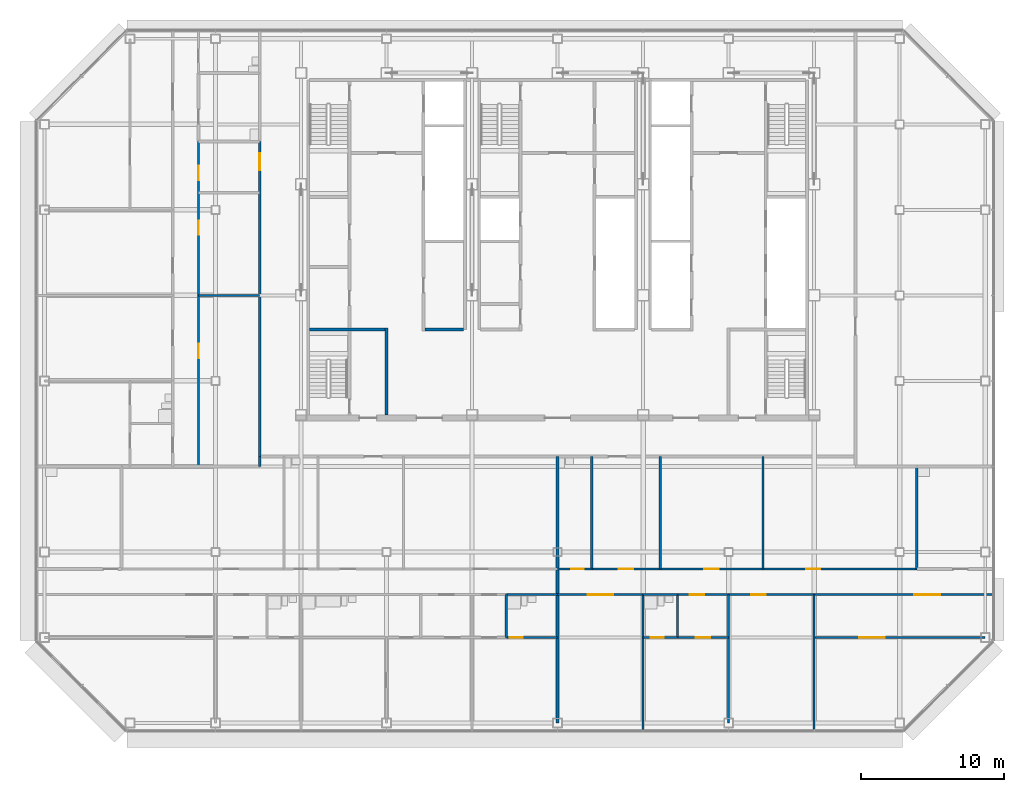
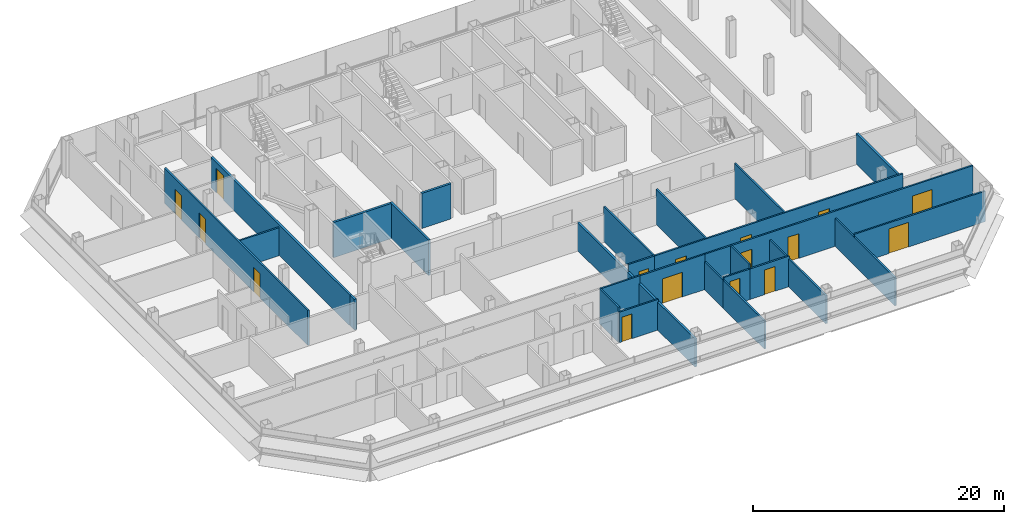
# One storey, part 21 of 27: 28 walls, 16 doors, 16 openings.
"""IFC4 building model written with IfcOpenShell, lengths in metres."""

import ifcopenshell
import ifcopenshell.guid

model = None  # the IFC model being written
_history = None  # IfcOwnerHistory: only IFC2X3 demands one
_inside = {}  # id of a spatial element -> (the spatial element, [elements in it])
_under = {}  # id of a project, library or spatial element -> (it, [spatial elements below it])
_declared = {}  # id of a project -> (the project, [libraries it declares])
_typed = {}  # id of a type object -> (the type object, [elements of that type])
_made_of = {}  # id of a material, layer set ... -> (it, [elements and type objects made of it])


def new_model(schema):
    """Start an empty IFC model of exactly this schema.

    Asked for "IFC4X3", IfcOpenShell would pick the latest addendum, in which some entities
    have other attributes; the version numbers below select the first issue.
    IFC2X3 requires an IfcOwnerHistory on every rooted entity: one is made here for all.
    """
    global model, _history
    if schema == "IFC4X3":
        model = ifcopenshell.file(schema_version=(4, 3, 0, 0))
    else:
        model = ifcopenshell.file(schema=schema)
    _inside.clear()
    _under.clear()
    _declared.clear()
    _typed.clear()
    _made_of.clear()
    _history = None
    if model.schema == "IFC2X3":
        org = make("IfcOrganization", Name="unknown")
        user = make(
            "IfcPersonAndOrganization",
            ThePerson=make("IfcPerson", FamilyName="unknown"),
            TheOrganization=org,
        )
        app = make(
            "IfcApplication",
            ApplicationDeveloper=org,
            Version="unknown",
            ApplicationFullName="unknown",
            ApplicationIdentifier="unknown",
        )
        _history = make(
            "IfcOwnerHistory",
            OwningUser=user,
            OwningApplication=app,
            ChangeAction="ADDED",
            CreationDate=0,
        )
    return model


def make(cls, **values):
    """One entity of the class cls with the attributes given. An attribute that is None is left unset."""
    return model.create_entity(
        cls, **{name: value for name, value in values.items() if value is not None}
    )


def rooted(cls, **values):
    """An entity with a GlobalId (a new one), such as an element, a storey or a relation."""
    return make(cls, GlobalId=ifcopenshell.guid.new(), OwnerHistory=_history, **values)


def si_unit(unit_type, name, prefix=None):
    """IfcSIUnit, for example si_unit("LENGTHUNIT", "METRE", prefix="MILLI")."""
    return make("IfcSIUnit", UnitType=unit_type, Prefix=prefix, Name=name)


def assignment(units):
    """IfcUnitAssignment: the units of a project."""
    return None if units is None else make("IfcUnitAssignment", Units=units)


def point(xyz):
    """IfcCartesianPoint."""
    return None if xyz is None else make("IfcCartesianPoint", Coordinates=xyz)


def direction(xyz):
    """IfcDirection."""
    return None if xyz is None else make("IfcDirection", DirectionRatios=xyz)


def frame(location, z_axis=None, x_axis=None):
    """IfcAxis2Placement3D, a coordinate frame: its origin and axes. An axis left out is left unset."""
    return make(
        "IfcAxis2Placement3D",
        Location=point(location),
        Axis=direction(z_axis),
        RefDirection=direction(x_axis),
    )


def frame_2d(location, x_axis=None):
    """IfcAxis2Placement2D, a coordinate frame in the plane: its origin and x axis."""
    return make(
        "IfcAxis2Placement2D", Location=point(location), RefDirection=direction(x_axis)
    )


def origin():
    """The frame at (0, 0, 0) with its axes left unset."""
    return frame((0.0, 0.0, 0.0))


def place(relative_to, where):
    """IfcLocalPlacement: puts the frame where relative to a parent placement (None: the world)."""
    return make(
        "IfcLocalPlacement", PlacementRelTo=relative_to, RelativePlacement=where
    )


def context(
    kind, dimensions, precision=None, world=None, true_north=None, identifier=None
):
    """IfcGeometricRepresentationContext, for example the 3D "Model" context."""
    return make(
        "IfcGeometricRepresentationContext",
        ContextIdentifier=identifier,
        ContextType=kind,
        CoordinateSpaceDimension=dimensions,
        Precision=precision,
        WorldCoordinateSystem=world,
        TrueNorth=true_north,
    )


def subcontext(parent, identifier, kind, view, scale=None):
    """IfcGeometricRepresentationSubContext, for example "Body" below "Model"."""
    return make(
        "IfcGeometricRepresentationSubContext",
        ContextIdentifier=identifier,
        ContextType=kind,
        ParentContext=parent,
        TargetScale=scale,
        TargetView=view,
    )


def project(units=None, contexts=None):
    """IfcProject with its units and contexts."""
    return rooted(
        "IfcProject",
        Name="project",
        RepresentationContexts=contexts,
        UnitsInContext=assignment(units),
    )


def spatial(cls, under=None, at=None, **own):
    """A site, building, storey or space (cls), placed at a placement, below another one or the project."""
    s = rooted(cls, ObjectPlacement=at, **own)
    if under is not None:
        _under.setdefault(under.id(), (under, []))[1].append(s)
    return s


def profile(cls, at=None, kind="AREA", **sizes):
    """A parametric profile (cls). Its sizes go by their IFC names, for example OverallWidth=200.0."""
    return make(cls, ProfileType=kind, Position=at, **sizes)


def rectangle(**sizes):
    """IfcRectangleProfileDef."""
    return profile("IfcRectangleProfileDef", **sizes)


def extrude(swept, where, along, depth):
    """IfcExtrudedAreaSolid: the profile swept, set in the frame where, extruded along a direction by depth."""
    return make(
        "IfcExtrudedAreaSolid",
        SweptArea=swept,
        Position=where,
        ExtrudedDirection=direction(along),
        Depth=depth,
    )


def shape(context_of_items, identifier, shape_type, items):
    """IfcShapeRepresentation: the items that make up one representation, for example the "Body"."""
    return make(
        "IfcShapeRepresentation",
        ContextOfItems=context_of_items,
        RepresentationIdentifier=identifier,
        RepresentationType=shape_type,
        Items=items,
    )


def material(Name=None, Category=None):
    """IfcMaterial."""
    return make("IfcMaterial", Name=Name, Category=Category)


def layer(
    of_material, thickness, ventilated=None, Name=None, Category=None, Priority=None
):
    """IfcMaterialLayer: one layer of a wall or slab, of a material (None: an air gap)."""
    return make(
        "IfcMaterialLayer",
        Material=of_material,
        LayerThickness=thickness,
        IsVentilated=ventilated,
        Name=Name,
        Category=Category,
        Priority=Priority,
    )


def layer_set(layers, Name=None):
    """IfcMaterialLayerSet."""
    return make("IfcMaterialLayerSet", MaterialLayers=layers, LayerSetName=Name)


def made_of(thing, what):
    """Note that an element or type object is made of a material, layer set ...; save() writes the relation."""
    if what is not None:
        _made_of.setdefault(what.id(), (what, []))[1].append(thing)
    return thing


def type_object(cls, material=None, **own):
    """A type object (cls), such as IfcWallType, which elements share."""
    return made_of(rooted(cls, **own), material)


def element(
    cls,
    number,
    at=None,
    inside=None,
    cuts=None,
    type_object=None,
    material=None,
    context=None,
    identifier="Body",
    shape_type=None,
    held_by="IfcProductDefinitionShape",
    body=None,
    shapes=None,
    **own,
):
    """One element of the class cls, such as IfcWall. Its Tag is "e" and its number.

    at: its placement. inside: the storey or other place that contains it. cuts: it is an
    opening in that element (IfcRelVoidsElement). A single representation is given by context,
    identifier, shape_type and body (its items); several are given by shapes. held_by: the class
    of the entity that holds the representations. save() writes the other relations.
    """
    e = rooted(cls, Tag="e%d" % number, ObjectPlacement=at, **own)
    if body is not None:
        shapes = [shape(context, identifier, shape_type, body)]
    if shapes is not None:
        e.Representation = make(held_by, Representations=shapes)
    if inside is not None:
        _inside.setdefault(inside.id(), (inside, []))[1].append(e)
    if cuts is not None:
        rooted(
            "IfcRelVoidsElement", RelatingBuildingElement=cuts, RelatedOpeningElement=e
        )
    if type_object is not None:
        _typed.setdefault(type_object.id(), (type_object, []))[1].append(e)
    return made_of(e, material)


def fill(opening, filler):
    """IfcRelFillsElement: the door or window that sits in an opening."""
    return rooted(
        "IfcRelFillsElement",
        RelatingOpeningElement=opening,
        RelatedBuildingElement=filler,
    )


def aggregate(whole, parts):
    """IfcRelAggregates: a whole, such as a stair, and the parts it consists of."""
    return rooted("IfcRelAggregates", RelatingObject=whole, RelatedObjects=parts)


def save(model, path):
    """Write the relations noted so far, then the file.

    IfcRelAggregates (storeys below a building ...), IfcRelContainedInSpatialStructure (elements
    in a storey), IfcRelDefinesByType, IfcRelAssociatesMaterial and IfcRelDeclares: one each for
    every whole, place, type object, material and project.
    """
    for whole, parts in _under.values():
        aggregate(whole, parts)
    for where, things in _inside.values():
        rooted(
            "IfcRelContainedInSpatialStructure",
            RelatedElements=things,
            RelatingStructure=where,
        )
    for kind, things in _typed.values():
        rooted("IfcRelDefinesByType", RelatedObjects=things, RelatingType=kind)
    for what, things in _made_of.values():
        rooted("IfcRelAssociatesMaterial", RelatedObjects=things, RelatingMaterial=what)
    for by, libraries in _declared.values():
        rooted("IfcRelDeclares", RelatingContext=by, RelatedDefinitions=libraries)
    model.write(path)


model = new_model("IFC4")

# Units and contexts
model_context = context("Model", 3, precision=1e-05, world=origin(), true_north=direction((0.0, 1.0)))
body_context = subcontext(model_context, "Body", "Model", "MODEL_VIEW")
ifc_project = project(units=[si_unit("LENGTHUNIT", "METRE"), si_unit("AREAUNIT", "SQUARE_METRE"), si_unit("VOLUMEUNIT", "CUBIC_METRE"), si_unit("PLANEANGLEUNIT", "RADIAN"), si_unit("MASSUNIT", "GRAM", prefix="KILO")], contexts=[model_context])

# Site, building, storey
site_placement = place(None, origin())
site = spatial("IfcSite", under=ifc_project, at=site_placement, CompositionType="ELEMENT")
building_placement = place(site_placement, origin())
building = spatial("IfcBuilding", under=site, at=building_placement, Name="Sorahane Residences", CompositionType="ELEMENT")
storey_placement = place(building_placement, frame((0.0, 0.0, 226.199951171875)))
storey = spatial("IfcBuildingStorey", under=building, at=storey_placement, Name="L53", CompositionType="ELEMENT", Elevation=226.199951171875)

# Wall, opening, door
ifc_material_1 = material(Name="Concrete blockwork C20 wall", Category="masonry")
ifc_layer_1 = layer(ifc_material_1, 0.199951171875)
ifc_layer_set_1 = layer_set([ifc_layer_1], Name="Corridor wall 200 EI 120")
wall_type_1 = type_object("IfcWallType", Name="Corridor wall 200 EI 120", PredefinedType="SOLIDWALL", material=ifc_layer_set_1)
wall_1_placement = place(storey_placement, frame((3.10009765625, 18.699951171875, 0.0), z_axis=(0.0, 0.0, 1.0), x_axis=(0.0, 1.0, 0.0)))
wall_1 = element("IfcWall", 1, at=wall_1_placement, inside=storey, type_object=wall_type_1, Name="L53 corridor wall", PredefinedType="SOLIDWALL", context=body_context, shape_type="SweptSolid", body=[
    extrude(rectangle(XDim=22.10009765625, YDim=0.199951171875, at=frame_2d((11.050048828125, 0.0))), origin(), (0.0, 0.0, 1.0), 2.969970703125),
])
opening_1_placement = place(wall_1_placement, frame((20.080078125, 0.0, 0.0)))
opening_1 = element("IfcOpeningElement", 2, at=opening_1_placement, cuts=wall_1, Name="Opening L53-44", PredefinedType="OPENING", context=body_context, shape_type="SweptSolid", body=[
    extrude(rectangle(XDim=1.199951171875, YDim=2.39990234375, at=frame_2d((0.60009765625, 1.199951171875))), frame((0.0, 0.10986328125, 0.0), z_axis=(0.0, -1.0, 0.0), x_axis=(1.0, 0.0, 0.0)), (0.0, 0.0, 1.0), 0.219970703125),
])
ifc_material_2 = material(Name="Timber veneered fire door", Category="wood")
door_type_1 = type_object("IfcDoorType", Name="Flat entrance door 1200x2400 FD60", OperationType="NOTDEFINED", PredefinedType="DOOR", material=ifc_material_2)
door_1_placement = place(opening_1_placement, origin())
door_1 = element("IfcDoor", 3, at=door_1_placement, inside=storey, type_object=door_type_1, Name="Flat entrance door L53-44", OperationType="SINGLE_SWING_LEFT", OverallHeight=2.39990234375, OverallWidth=1.199951171875, PredefinedType="DOOR", context=body_context, shape_type="SweptSolid", body=[
    extrude(rectangle(XDim=1.199951171875, YDim=2.39990234375, at=frame_2d((0.60009765625, 1.199951171875))), frame((0.0, 0.02490234375, 0.0), z_axis=(0.0, -1.0, 0.0), x_axis=(1.0, 0.0, 0.0)), (0.0, 0.0, 1.0), 0.050048828125),
])
fill(opening_1, door_1)

# Walls
ifc_material_3 = material(Name="Concrete C30", Category="concrete")
ifc_layer_2 = layer(ifc_material_3, 0.199951171875)
ifc_layer_set_2 = layer_set([ifc_layer_2], Name="Front room wall 200 EI 120")
wall_type_2 = type_object("IfcWallType", Name="Front room wall 200 EI 120", PredefinedType="PARTITIONING", material=ifc_layer_set_2)
wall_2_placement = place(storey_placement, frame((12.0, 21.60009765625, 0.0), z_axis=(0.0, 0.0, 1.0), x_axis=(0.0, 1.0, 0.0)))
element("IfcWall", 4, at=wall_2_placement, inside=storey, type_object=wall_type_2, Name="L53 front room wall", PredefinedType="PARTITIONING", context=body_context, shape_type="SweptSolid", body=[
    extrude(rectangle(XDim=6.099853515625, YDim=0.199951171875, at=frame_2d((3.0498046875, 0.0))), origin(), (0.0, 0.0, 1.0), 3.420166015625),
])
ifc_material_4 = material(Name="Concrete blockwork C20 wall", Category="masonry")
ifc_layer_3 = layer(ifc_material_4, 0.199951171875)
ifc_layer_set_3 = layer_set([ifc_layer_3], Name="Kitchen wall 200 EI 180")
wall_type_3 = type_object("IfcWallType", Name="Kitchen wall 200 EI 180", PredefinedType="SOLIDWALL", material=ifc_layer_set_3)
wall_3_placement = place(storey_placement, frame((49.199951171875, 10.800048828125, 0.0), z_axis=(0.0, 0.0, 1.0), x_axis=(0.0, 1.0, 0.0)))
element("IfcWall", 5, at=wall_3_placement, inside=storey, type_object=wall_type_3, Name="L53 kitchen wall", PredefinedType="SOLIDWALL", context=body_context, shape_type="SweptSolid", body=[
    extrude(rectangle(XDim=7.199951171875, YDim=0.199951171875, at=frame_2d((3.60009765625, 0.0))), origin(), (0.0, 0.0, 1.0), 2.969970703125),
])

# Wall, openings, doors
ifc_material_5 = material(Name="Gypsum board partition on steel studs", Category="steel")
ifc_layer_4 = layer(ifc_material_5, 0.14990234375)
ifc_layer_set_4 = layer_set([ifc_layer_4], Name="Partition 150 EI 90")
wall_type_4 = type_object("IfcWallType", Name="Partition 150 EI 90", PredefinedType="PARTITIONING", material=ifc_layer_set_4)
wall_4_placement = place(storey_placement, frame((-1.199951171875, 18.0, 0.0), z_axis=(0.0, 0.0, 1.0), x_axis=(0.0, 1.0, 0.0)))
wall_4 = element("IfcWall", 6, at=wall_4_placement, inside=storey, type_object=wall_type_4, Name="L53 partition", PredefinedType="PARTITIONING", context=body_context, shape_type="SweptSolid", body=[
    extrude(rectangle(XDim=22.800048828125, YDim=0.14990234375, at=frame_2d((11.39990234375, 0.0))), origin(), (0.0, 0.0, 1.0), 3.420166015625),
])
opening_2_placement = place(wall_4_placement, frame((20.080078125, 0.0, 0.0)))
opening_2 = element("IfcOpeningElement", 7, at=opening_2_placement, cuts=wall_4, Name="Opening L53-30", PredefinedType="OPENING", context=body_context, shape_type="SweptSolid", body=[
    extrude(rectangle(XDim=1.0, YDim=2.39990234375, at=frame_2d((0.5, 1.199951171875))), frame((0.0, 0.0849609375, 0.0), z_axis=(0.0, -1.0, 0.0), x_axis=(1.0, 0.0, 0.0)), (0.0, 0.0, 1.0), 0.169921875),
])
opening_3_placement = place(wall_4_placement, frame((7.60009765625, 0.0, 0.0)))
opening_3 = element("IfcOpeningElement", 8, at=opening_3_placement, cuts=wall_4, Name="Opening L53-31", PredefinedType="OPENING", context=body_context, shape_type="SweptSolid", body=[
    extrude(rectangle(XDim=1.0, YDim=2.39990234375, at=frame_2d((0.5, 1.199951171875))), frame((0.0, 0.0849609375, 0.0), z_axis=(0.0, -1.0, 0.0), x_axis=(1.0, 0.0, 0.0)), (0.0, 0.0, 1.0), 0.169921875),
])
opening_4_placement = place(wall_4_placement, frame((16.239990234375, 0.0, 0.0)))
opening_4 = element("IfcOpeningElement", 9, at=opening_4_placement, cuts=wall_4, Name="Opening L53-32", PredefinedType="OPENING", context=body_context, shape_type="SweptSolid", body=[
    extrude(rectangle(XDim=1.0, YDim=2.39990234375, at=frame_2d((0.5, 1.199951171875))), frame((0.0, 0.0849609375, 0.0), z_axis=(0.0, -1.0, 0.0), x_axis=(1.0, 0.0, 0.0)), (0.0, 0.0, 1.0), 0.169921875),
])
ifc_material_6 = material(Name="Timber veneered fire door", Category="wood")
door_type_2 = type_object("IfcDoorType", Name="Room door 1000x2400 FD30", OperationType="NOTDEFINED", PredefinedType="DOOR", material=ifc_material_6)
door_2_placement = place(opening_2_placement, origin())
door_2 = element("IfcDoor", 10, at=door_2_placement, inside=storey, type_object=door_type_2, Name="Room door L53-30", OperationType="SINGLE_SWING_RIGHT", OverallHeight=2.39990234375, OverallWidth=1.0, PredefinedType="DOOR", context=body_context, shape_type="SweptSolid", body=[
    extrude(rectangle(XDim=1.0, YDim=2.39990234375, at=frame_2d((0.5, 1.199951171875))), frame((0.0, 0.02490234375, 0.0), z_axis=(0.0, -1.0, 0.0), x_axis=(1.0, 0.0, 0.0)), (0.0, 0.0, 1.0), 0.050048828125),
])
fill(opening_2, door_2)
door_3_placement = place(opening_3_placement, frame((1.0, 0.0, 0.0), z_axis=(0.0, 0.0, 1.0), x_axis=(-1.0, 0.0, 0.0)))
door_3 = element("IfcDoor", 11, at=door_3_placement, inside=storey, type_object=door_type_2, Name="Room door L53-31", OperationType="SINGLE_SWING_RIGHT", OverallHeight=2.39990234375, OverallWidth=1.0, PredefinedType="DOOR", context=body_context, shape_type="SweptSolid", body=[
    extrude(rectangle(XDim=1.0, YDim=2.39990234375, at=frame_2d((0.5, 1.199951171875))), frame((0.0, 0.02490234375, 0.0), z_axis=(0.0, -1.0, 0.0), x_axis=(1.0, 0.0, 0.0)), (0.0, 0.0, 1.0), 0.050048828125),
])
fill(opening_3, door_3)
door_4_placement = place(opening_4_placement, frame((1.0, 0.0, 0.0), z_axis=(0.0, 0.0, 1.0), x_axis=(-1.0, 0.0, 0.0)))
door_4 = element("IfcDoor", 12, at=door_4_placement, inside=storey, type_object=door_type_2, Name="Room door L53-32", OperationType="SINGLE_SWING_LEFT", OverallHeight=2.39990234375, OverallWidth=1.0, PredefinedType="DOOR", context=body_context, shape_type="SweptSolid", body=[
    extrude(rectangle(XDim=1.0, YDim=2.39990234375, at=frame_2d((0.5, 1.199951171875))), frame((0.0, 0.02490234375, 0.0), z_axis=(0.0, -1.0, 0.0), x_axis=(1.0, 0.0, 0.0)), (0.0, 0.0, 1.0), 0.050048828125),
])
fill(opening_4, door_4)

# Walls
wall_5_placement = place(storey_placement, frame((30.0, -0.60009765625, 0.0), z_axis=(0.0, 0.0, 1.0), x_axis=(0.0, 1.0, 0.0)))
element("IfcWall", 13, at=wall_5_placement, inside=storey, type_object=wall_type_4, Name="L53 partition", PredefinedType="PARTITIONING", context=body_context, shape_type="SweptSolid", body=[
    extrude(rectangle(XDim=6.60009765625, YDim=0.14990234375, at=frame_2d((3.300048828125, 0.0))), origin(), (0.0, 0.0, 1.0), 2.719970703125),
])
wall_6_placement = place(storey_placement, frame((31.199951171875, 10.800048828125, 0.0), z_axis=(0.0, 0.0, 1.0), x_axis=(0.0, 1.0, 0.0)))
element("IfcWall", 14, at=wall_6_placement, inside=storey, type_object=wall_type_4, Name="L53 partition", PredefinedType="PARTITIONING", context=body_context, shape_type="SweptSolid", body=[
    extrude(rectangle(XDim=7.89990234375, YDim=0.14990234375, at=frame_2d((3.949951171875, 0.0))), origin(), (0.0, 0.0, 1.0), 3.420166015625),
])
wall_7_placement = place(storey_placement, frame((36.0, 0.0, 0.0), z_axis=(0.0, 0.0, 1.0), x_axis=(0.0, 1.0, 0.0)))
element("IfcWall", 15, at=wall_7_placement, inside=storey, type_object=wall_type_4, Name="L53 partition", PredefinedType="PARTITIONING", context=body_context, shape_type="SweptSolid", body=[
    extrude(rectangle(XDim=9.0, YDim=0.14990234375, at=frame_2d((4.5, 0.0))), origin(), (0.0, 0.0, 1.0), 2.719970703125),
])
wall_8_placement = place(storey_placement, frame((38.39990234375, 10.800048828125, 0.0), z_axis=(0.0, 0.0, 1.0), x_axis=(0.0, 1.0, 0.0)))
element("IfcWall", 16, at=wall_8_placement, inside=storey, type_object=wall_type_4, Name="L53 partition", PredefinedType="PARTITIONING", context=body_context, shape_type="SweptSolid", body=[
    extrude(rectangle(XDim=7.89990234375, YDim=0.14990234375, at=frame_2d((3.949951171875, 0.0))), origin(), (0.0, 0.0, 1.0), 3.420166015625),
])
wall_9_placement = place(storey_placement, frame((42.0, -0.60009765625, 0.0), z_axis=(0.0, 0.0, 1.0), x_axis=(0.0, 1.0, 0.0)))
element("IfcWall", 17, at=wall_9_placement, inside=storey, type_object=wall_type_4, Name="L53 partition", PredefinedType="PARTITIONING", context=body_context, shape_type="SweptSolid", body=[
    extrude(rectangle(XDim=9.60009765625, YDim=0.14990234375, at=frame_2d((4.800048828125, 0.0))), origin(), (0.0, 0.0, 1.0), 2.719970703125),
])

# Wall, openings, doors
wall_10_placement = place(storey_placement, frame((26.39990234375, 10.800048828125, 0.0), z_axis=(0.0, 0.0, 1.0), x_axis=(1.0, 0.0, 0.0)))
wall_10 = element("IfcWall", 18, at=wall_10_placement, inside=storey, type_object=wall_type_4, Name="L53 partition", PredefinedType="PARTITIONING", context=body_context, shape_type="SweptSolid", body=[
    extrude(rectangle(XDim=22.800048828125, YDim=0.14990234375, at=frame_2d((11.39990234375, 0.0))), origin(), (0.0, 0.0, 1.0), 3.420166015625),
])
opening_5_placement = place(wall_10_placement, frame((1.89990234375, 0.0, 0.0)))
opening_5 = element("IfcOpeningElement", 19, at=opening_5_placement, cuts=wall_10, Name="Opening L53-18", PredefinedType="OPENING", context=body_context, shape_type="SweptSolid", body=[
    extrude(rectangle(XDim=1.0, YDim=2.39990234375, at=frame_2d((0.5, 1.199951171875))), frame((0.0, 0.0849609375, 0.0), z_axis=(0.0, -1.0, 0.0), x_axis=(1.0, 0.0, 0.0)), (0.0, 0.0, 1.0), 0.169921875),
])
opening_6_placement = place(wall_10_placement, frame((7.89990234375, 0.0, 0.0)))
opening_6 = element("IfcOpeningElement", 20, at=opening_6_placement, cuts=wall_10, Name="Opening L53-20", PredefinedType="OPENING", context=body_context, shape_type="SweptSolid", body=[
    extrude(rectangle(XDim=1.0, YDim=2.39990234375, at=frame_2d((0.5, 1.199951171875))), frame((0.0, 0.0849609375, 0.0), z_axis=(0.0, -1.0, 0.0), x_axis=(1.0, 0.0, 0.0)), (0.0, 0.0, 1.0), 0.169921875),
])
opening_7_placement = place(wall_10_placement, frame((15.0400390625, 0.0, 0.0)))
opening_7 = element("IfcOpeningElement", 21, at=opening_7_placement, cuts=wall_10, Name="Opening L53-21", PredefinedType="OPENING", context=body_context, shape_type="SweptSolid", body=[
    extrude(rectangle(XDim=1.0, YDim=2.39990234375, at=frame_2d((0.5, 1.199951171875))), frame((0.0, 0.0849609375, 0.0), z_axis=(0.0, -1.0, 0.0), x_axis=(1.0, 0.0, 0.0)), (0.0, 0.0, 1.0), 0.169921875),
])
door_5_placement = place(opening_5_placement, frame((1.0, 0.0, 0.0), z_axis=(0.0, 0.0, 1.0), x_axis=(-1.0, 0.0, 0.0)))
door_5 = element("IfcDoor", 22, at=door_5_placement, inside=storey, type_object=door_type_2, Name="Room door L53-18", OperationType="SINGLE_SWING_LEFT", OverallHeight=2.39990234375, OverallWidth=1.0, PredefinedType="DOOR", context=body_context, shape_type="SweptSolid", body=[
    extrude(rectangle(XDim=1.0, YDim=2.39990234375, at=frame_2d((0.5, 1.199951171875))), frame((0.0, 0.02490234375, 0.0), z_axis=(0.0, -1.0, 0.0), x_axis=(1.0, 0.0, 0.0)), (0.0, 0.0, 1.0), 0.050048828125),
])
fill(opening_5, door_5)
door_6_placement = place(opening_6_placement, origin())
door_6 = element("IfcDoor", 23, at=door_6_placement, inside=storey, type_object=door_type_2, Name="Room door L53-20", OperationType="SINGLE_SWING_RIGHT", OverallHeight=2.39990234375, OverallWidth=1.0, PredefinedType="DOOR", context=body_context, shape_type="SweptSolid", body=[
    extrude(rectangle(XDim=1.0, YDim=2.39990234375, at=frame_2d((0.5, 1.199951171875))), frame((0.0, 0.02490234375, 0.0), z_axis=(0.0, -1.0, 0.0), x_axis=(1.0, 0.0, 0.0)), (0.0, 0.0, 1.0), 0.050048828125),
])
fill(opening_6, door_6)
door_7_placement = place(opening_7_placement, origin())
door_7 = element("IfcDoor", 24, at=door_7_placement, inside=storey, type_object=door_type_2, Name="Room door L53-21", OperationType="SINGLE_SWING_RIGHT", OverallHeight=2.39990234375, OverallWidth=1.0, PredefinedType="DOOR", context=body_context, shape_type="SweptSolid", body=[
    extrude(rectangle(XDim=1.0, YDim=2.39990234375, at=frame_2d((0.5, 1.199951171875))), frame((0.0, 0.02490234375, 0.0), z_axis=(0.0, -1.0, 0.0), x_axis=(1.0, 0.0, 0.0)), (0.0, 0.0, 1.0), 0.050048828125),
])
fill(opening_7, door_7)

# Wall
wall_11_placement = place(storey_placement, frame((-1.199951171875, 30.0, 0.0), z_axis=(0.0, 0.0, 1.0), x_axis=(1.0, 0.0, 0.0)))
element("IfcWall", 25, at=wall_11_placement, inside=storey, type_object=wall_type_4, Name="L53 partition", PredefinedType="PARTITIONING", context=body_context, shape_type="SweptSolid", body=[
    extrude(rectangle(XDim=4.300048828125, YDim=0.14990234375, at=frame_2d((2.14990234375, 0.0))), origin(), (0.0, 0.0, 1.0), 2.719970703125),
])

# Wall, opening, door
wall_12_placement = place(storey_placement, frame((32.39990234375, 6.0, 0.0), z_axis=(0.0, 0.0, 1.0), x_axis=(1.0, 0.0, 0.0)))
wall_12 = element("IfcWall", 26, at=wall_12_placement, inside=storey, type_object=wall_type_4, Name="L53 partition", PredefinedType="PARTITIONING", context=body_context, shape_type="SweptSolid", body=[
    extrude(rectangle(XDim=3.60009765625, YDim=0.14990234375, at=frame_2d((1.800048828125, 0.0))), origin(), (0.0, 0.0, 1.0), 2.969970703125),
])
opening_8_placement = place(wall_12_placement, frame((1.300048828125, 0.0, 0.0)))
opening_8 = element("IfcOpeningElement", 27, at=opening_8_placement, cuts=wall_12, Name="Opening L53-27", PredefinedType="OPENING", context=body_context, shape_type="SweptSolid", body=[
    extrude(rectangle(XDim=1.0, YDim=2.39990234375, at=frame_2d((0.5, 1.199951171875))), frame((0.0, 0.0849609375, 0.0), z_axis=(0.0, -1.0, 0.0), x_axis=(1.0, 0.0, 0.0)), (0.0, 0.0, 1.0), 0.169921875),
])
door_8_placement = place(opening_8_placement, frame((1.0, 0.0, 0.0), z_axis=(0.0, 0.0, 1.0), x_axis=(-1.0, 0.0, 0.0)))
door_8 = element("IfcDoor", 28, at=door_8_placement, inside=storey, type_object=door_type_2, Name="Room door L53-27", OperationType="SINGLE_SWING_LEFT", OverallHeight=2.39990234375, OverallWidth=1.0, PredefinedType="DOOR", context=body_context, shape_type="SweptSolid", body=[
    extrude(rectangle(XDim=1.0, YDim=2.39990234375, at=frame_2d((0.5, 1.199951171875))), frame((0.0, 0.02490234375, 0.0), z_axis=(0.0, -1.0, 0.0), x_axis=(1.0, 0.0, 0.0)), (0.0, 0.0, 1.0), 0.050048828125),
])
fill(opening_8, door_8)

wall_13_placement = place(storey_placement, frame((42.0, 6.0, 0.0), z_axis=(0.0, 0.0, 1.0), x_axis=(1.0, 0.0, 0.0)))
wall_13 = element("IfcWall", 29, at=wall_13_placement, inside=storey, type_object=wall_type_4, Name="L53 partition", PredefinedType="PARTITIONING", context=body_context, shape_type="SweptSolid", body=[
    extrude(rectangle(XDim=12.0, YDim=0.14990234375, at=frame_2d((6.0, 0.0))), origin(), (0.0, 0.0, 1.0), 2.969970703125),
])
opening_9_placement = place(wall_13_placement, frame((3.159912109375, 0.0, 0.0)))
opening_9 = element("IfcOpeningElement", 30, at=opening_9_placement, cuts=wall_13, Name="Opening L53-29", PredefinedType="OPENING", context=body_context, shape_type="SweptSolid", body=[
    extrude(rectangle(XDim=1.800048828125, YDim=2.39990234375, at=frame_2d((0.89990234375, 1.199951171875))), frame((0.0, 0.0849609375, 0.0), z_axis=(0.0, -1.0, 0.0), x_axis=(1.0, 0.0, 0.0)), (0.0, 0.0, 1.0), 0.169921875),
])
ifc_material_7 = material(Name="Timber veneered fire door", Category="wood")
door_type_3 = type_object("IfcDoorType", Name="Double door 1800x2400 FD30", OperationType="NOTDEFINED", PredefinedType="DOOR", material=ifc_material_7)
door_9_placement = place(opening_9_placement, frame((1.800048828125, 0.0, 0.0), z_axis=(0.0, 0.0, 1.0), x_axis=(-1.0, 0.0, 0.0)))
door_9 = element("IfcDoor", 31, at=door_9_placement, inside=storey, type_object=door_type_3, Name="Double door L53-29", OperationType="SINGLE_SWING_RIGHT", OverallHeight=2.39990234375, OverallWidth=1.800048828125, PredefinedType="DOOR", context=body_context, shape_type="SweptSolid", body=[
    extrude(rectangle(XDim=1.800048828125, YDim=2.39990234375, at=frame_2d((0.89990234375, 1.199951171875))), frame((0.0, 0.02490234375, 0.0), z_axis=(0.0, -1.0, 0.0), x_axis=(1.0, 0.0, 0.0)), (0.0, 0.0, 1.0), 0.050048828125),
])
fill(opening_9, door_9)

wall_14_placement = place(storey_placement, frame((24.0, 9.0, 0.0), z_axis=(0.0, 0.0, 1.0), x_axis=(1.0, 0.0, 0.0)))
wall_14 = element("IfcWall", 32, at=wall_14_placement, inside=storey, type_object=wall_type_4, Name="L53 partition", PredefinedType="PARTITIONING", context=body_context, shape_type="SweptSolid", body=[
    extrude(rectangle(XDim=6.0, YDim=0.14990234375, at=frame_2d((3.0, 0.0))), origin(), (0.0, 0.0, 1.0), 3.420166015625),
])
opening_10_placement = place(wall_14_placement, frame((2.10009765625, 0.0, 0.0)))
opening_10 = element("IfcOpeningElement", 33, at=opening_10_placement, cuts=wall_14, Name="Opening L53-23", PredefinedType="OPENING", context=body_context, shape_type="SweptSolid", body=[
    extrude(rectangle(XDim=1.800048828125, YDim=2.39990234375, at=frame_2d((0.89990234375, 1.199951171875))), frame((0.0, 0.0849609375, 0.0), z_axis=(0.0, -1.0, 0.0), x_axis=(1.0, 0.0, 0.0)), (0.0, 0.0, 1.0), 0.169921875),
])
door_10_placement = place(opening_10_placement, frame((1.800048828125, 0.0, 0.0), z_axis=(0.0, 0.0, 1.0), x_axis=(-1.0, 0.0, 0.0)))
door_10 = element("IfcDoor", 34, at=door_10_placement, inside=storey, type_object=door_type_3, Name="Double door L53-23", OperationType="SINGLE_SWING_RIGHT", OverallHeight=2.39990234375, OverallWidth=1.800048828125, PredefinedType="DOOR", context=body_context, shape_type="SweptSolid", body=[
    extrude(rectangle(XDim=1.800048828125, YDim=2.39990234375, at=frame_2d((0.89990234375, 1.199951171875))), frame((0.0, 0.02490234375, 0.0), z_axis=(0.0, -1.0, 0.0), x_axis=(1.0, 0.0, 0.0)), (0.0, 0.0, 1.0), 0.050048828125),
])
fill(opening_10, door_10)

# Wall, openings, doors
wall_15_placement = place(storey_placement, frame((32.39990234375, 9.0, 0.0), z_axis=(0.0, 0.0, 1.0), x_axis=(1.0, 0.0, 0.0)))
wall_15 = element("IfcWall", 35, at=wall_15_placement, inside=storey, type_object=wall_type_4, Name="L53 partition", PredefinedType="PARTITIONING", context=body_context, shape_type="SweptSolid", body=[
    extrude(rectangle(XDim=22.2001953125, YDim=0.14990234375, at=frame_2d((11.10009765625, 0.0))), origin(), (0.0, 0.0, 1.0), 3.420166015625),
])
opening_11_placement = place(wall_15_placement, frame((0.8798828125, 0.0, 0.0)))
opening_11 = element("IfcOpeningElement", 36, at=opening_11_placement, cuts=wall_15, Name="Opening L53-24", PredefinedType="OPENING", context=body_context, shape_type="SweptSolid", body=[
    extrude(rectangle(XDim=1.0, YDim=2.39990234375, at=frame_2d((0.5, 1.199951171875))), frame((0.0, 0.0849609375, 0.0), z_axis=(0.0, -1.0, 0.0), x_axis=(1.0, 0.0, 0.0)), (0.0, 0.0, 1.0), 0.169921875),
])
opening_12_placement = place(wall_15_placement, frame((5.199951171875, 0.0, 0.0)))
opening_12 = element("IfcOpeningElement", 37, at=opening_12_placement, cuts=wall_15, Name="Opening L53-25", PredefinedType="OPENING", context=body_context, shape_type="SweptSolid", body=[
    extrude(rectangle(XDim=1.0, YDim=2.39990234375, at=frame_2d((0.5, 1.199951171875))), frame((0.0, 0.0849609375, 0.0), z_axis=(0.0, -1.0, 0.0), x_axis=(1.0, 0.0, 0.0)), (0.0, 0.0, 1.0), 0.169921875),
])
opening_13_placement = place(wall_15_placement, frame((16.639892578125, 0.0, 0.0)))
opening_13 = element("IfcOpeningElement", 38, at=opening_13_placement, cuts=wall_15, Name="Opening L53-26", PredefinedType="OPENING", context=body_context, shape_type="SweptSolid", body=[
    extrude(rectangle(XDim=1.800048828125, YDim=2.39990234375, at=frame_2d((0.89990234375, 1.199951171875))), frame((0.0, 0.0849609375, 0.0), z_axis=(0.0, -1.0, 0.0), x_axis=(1.0, 0.0, 0.0)), (0.0, 0.0, 1.0), 0.169921875),
])
door_11_placement = place(opening_13_placement, frame((1.800048828125, 0.0, 0.0), z_axis=(0.0, 0.0, 1.0), x_axis=(-1.0, 0.0, 0.0)))
door_11 = element("IfcDoor", 39, at=door_11_placement, inside=storey, type_object=door_type_3, Name="Double door L53-26", OperationType="SINGLE_SWING_RIGHT", OverallHeight=2.39990234375, OverallWidth=1.800048828125, PredefinedType="DOOR", context=body_context, shape_type="SweptSolid", body=[
    extrude(rectangle(XDim=1.800048828125, YDim=2.39990234375, at=frame_2d((0.89990234375, 1.199951171875))), frame((0.0, 0.02490234375, 0.0), z_axis=(0.0, -1.0, 0.0), x_axis=(1.0, 0.0, 0.0)), (0.0, 0.0, 1.0), 0.050048828125),
])
fill(opening_13, door_11)
door_12_placement = place(opening_11_placement, frame((1.0, 0.0, 0.0), z_axis=(0.0, 0.0, 1.0), x_axis=(-1.0, 0.0, 0.0)))
door_12 = element("IfcDoor", 40, at=door_12_placement, inside=storey, type_object=door_type_2, Name="Room door L53-24", OperationType="SINGLE_SWING_LEFT", OverallHeight=2.39990234375, OverallWidth=1.0, PredefinedType="DOOR", context=body_context, shape_type="SweptSolid", body=[
    extrude(rectangle(XDim=1.0, YDim=2.39990234375, at=frame_2d((0.5, 1.199951171875))), frame((0.0, 0.02490234375, 0.0), z_axis=(0.0, -1.0, 0.0), x_axis=(1.0, 0.0, 0.0)), (0.0, 0.0, 1.0), 0.050048828125),
])
fill(opening_11, door_12)
door_13_placement = place(opening_12_placement, frame((1.0, 0.0, 0.0), z_axis=(0.0, 0.0, 1.0), x_axis=(-1.0, 0.0, 0.0)))
door_13 = element("IfcDoor", 41, at=door_13_placement, inside=storey, type_object=door_type_2, Name="Room door L53-25", OperationType="SINGLE_SWING_LEFT", OverallHeight=2.39990234375, OverallWidth=1.0, PredefinedType="DOOR", context=body_context, shape_type="SweptSolid", body=[
    extrude(rectangle(XDim=1.0, YDim=2.39990234375, at=frame_2d((0.5, 1.199951171875))), frame((0.0, 0.02490234375, 0.0), z_axis=(0.0, -1.0, 0.0), x_axis=(1.0, 0.0, 0.0)), (0.0, 0.0, 1.0), 0.050048828125),
])
fill(opening_12, door_13)

# Walls
ifc_material_8 = material(Name="Concrete blockwork C20 wall", Category="masonry")
ifc_layer_5 = layer(ifc_material_8, 0.199951171875)
ifc_layer_set_5 = layer_set([ifc_layer_5], Name="Party wall 200 EI 120")
wall_type_5 = type_object("IfcWallType", Name="Party wall 200 EI 120", PredefinedType="SOLIDWALL", material=ifc_layer_set_5)
wall_16_placement = place(storey_placement, frame((24.0, 0.0, 0.0), z_axis=(0.0, 0.0, 1.0), x_axis=(0.0, 1.0, 0.0)))
element("IfcWall", 42, at=wall_16_placement, inside=storey, type_object=wall_type_5, Name="L53 party wall", PredefinedType="SOLIDWALL", context=body_context, shape_type="SweptSolid", body=[
    extrude(rectangle(XDim=18.699951171875, YDim=0.199951171875, at=frame_2d((9.35009765625, 0.0))), origin(), (0.0, 0.0, 1.0), 2.719970703125),
])
wall_17_placement = place(storey_placement, frame((3.10009765625, 18.0, 0.0), z_axis=(0.0, 0.0, 1.0), x_axis=(0.0, 1.0, 0.0)))
element("IfcWall", 43, at=wall_17_placement, inside=storey, type_object=wall_type_5, Name="L53 party wall", PredefinedType="SOLIDWALL", context=body_context, shape_type="SweptSolid", body=[
    extrude(rectangle(XDim=0.699951171875, YDim=0.199951171875, at=frame_2d((0.35009765625, 0.0))), origin(), (0.0, 0.0, 1.0), 2.969970703125),
])
ifc_material_9 = material(Name="Concrete C30", Category="concrete")
ifc_layer_6 = layer(ifc_material_9, 0.199951171875)
ifc_layer_set_6 = layer_set([ifc_layer_6], Name="Service room partition 200 EI 60")
wall_type_6 = type_object("IfcWallType", Name="Service room partition 200 EI 60", PredefinedType="PARTITIONING", material=ifc_layer_set_6)
wall_18_placement = place(storey_placement, frame((14.699951171875, 27.60009765625, 0.0), z_axis=(0.0, 0.0, 1.0), x_axis=(1.0, 0.0, 0.0)))
element("IfcWall", 44, at=wall_18_placement, inside=storey, type_object=wall_type_6, Name="L53 service room wall", PredefinedType="PARTITIONING", context=body_context, shape_type="SweptSolid", body=[
    extrude(rectangle(XDim=2.699951171875, YDim=0.199951171875, at=frame_2d((1.35009765625, 0.0))), origin(), (0.0, 0.0, 1.0), 3.420166015625),
])
ifc_material_10 = material(Name="Concrete C30", Category="concrete")
ifc_layer_7 = layer(ifc_material_10, 0.199951171875)
ifc_layer_set_7 = layer_set([ifc_layer_7], Name="Stair enclosure wall 200 EI 120")
wall_type_7 = type_object("IfcWallType", Name="Stair enclosure wall 200 EI 120", PredefinedType="SOLIDWALL", material=ifc_layer_set_7)
wall_19_placement = place(storey_placement, frame((6.60009765625, 27.60009765625, 0.0), z_axis=(0.0, 0.0, 1.0), x_axis=(1.0, 0.0, 0.0)))
element("IfcWall", 45, at=wall_19_placement, inside=storey, type_object=wall_type_7, Name="L53 stair enclosure wall", PredefinedType="SOLIDWALL", context=body_context, shape_type="SweptSolid", body=[
    extrude(rectangle(XDim=5.2998046875, YDim=0.199951171875, at=frame_2d((2.64990234375, 0.0))), origin(), (0.0, 0.0, 1.0), 3.420166015625),
])
ifc_material_11 = material(Name="Gypsum board partition on steel studs", Category="steel")
ifc_layer_8 = layer(ifc_material_11, 0.14990234375)
ifc_layer_set_8 = layer_set([ifc_layer_8], Name="Wet wall 150 EI 90")
wall_type_8 = type_object("IfcWallType", Name="Wet wall 150 EI 90", PredefinedType="PARTITIONING", material=ifc_layer_set_8)
wall_20_placement = place(storey_placement, frame((20.39990234375, 6.0, 0.0), z_axis=(0.0, 0.0, 1.0), x_axis=(0.0, 1.0, 0.0)))
element("IfcWall", 46, at=wall_20_placement, inside=storey, type_object=wall_type_8, Name="L53 wet wall", PredefinedType="PARTITIONING", context=body_context, shape_type="SweptSolid", body=[
    extrude(rectangle(XDim=3.0, YDim=0.14990234375, at=frame_2d((1.5, 0.0))), origin(), (0.0, 0.0, 1.0), 3.420166015625),
])
wall_21_placement = place(storey_placement, frame((26.39990234375, 10.800048828125, 0.0), z_axis=(0.0, 0.0, 1.0), x_axis=(0.0, 1.0, 0.0)))
element("IfcWall", 47, at=wall_21_placement, inside=storey, type_object=wall_type_8, Name="L53 wet wall", PredefinedType="PARTITIONING", context=body_context, shape_type="SweptSolid", body=[
    extrude(rectangle(XDim=7.89990234375, YDim=0.14990234375, at=frame_2d((3.949951171875, 0.0))), origin(), (0.0, 0.0, 1.0), 3.420166015625),
])
wall_22_placement = place(storey_placement, frame((30.0, 6.0, 0.0), z_axis=(0.0, 0.0, 1.0), x_axis=(0.0, 1.0, 0.0)))
element("IfcWall", 48, at=wall_22_placement, inside=storey, type_object=wall_type_8, Name="L53 wet wall", PredefinedType="PARTITIONING", context=body_context, shape_type="SweptSolid", body=[
    extrude(rectangle(XDim=3.0, YDim=0.14990234375, at=frame_2d((1.5, 0.0))), origin(), (0.0, 0.0, 1.0), 2.719970703125),
])
wall_23_placement = place(storey_placement, frame((32.39990234375, 6.0, 0.0), z_axis=(0.0, 0.0, 1.0), x_axis=(0.0, 1.0, 0.0)))
element("IfcWall", 49, at=wall_23_placement, inside=storey, type_object=wall_type_8, Name="L53 wet wall", PredefinedType="PARTITIONING", context=body_context, shape_type="SweptSolid", body=[
    extrude(rectangle(XDim=3.0, YDim=0.14990234375, at=frame_2d((1.5, 0.0))), origin(), (0.0, 0.0, 1.0), 3.420166015625),
])

# Wall, opening, door
wall_24_placement = place(storey_placement, frame((24.0, 10.800048828125, 0.0), z_axis=(0.0, 0.0, 1.0), x_axis=(1.0, 0.0, 0.0)))
wall_24 = element("IfcWall", 50, at=wall_24_placement, inside=storey, type_object=wall_type_8, Name="L53 wet wall", PredefinedType="PARTITIONING", context=body_context, shape_type="SweptSolid", body=[
    extrude(rectangle(XDim=2.39990234375, YDim=0.14990234375, at=frame_2d((1.199951171875, 0.0))), origin(), (0.0, 0.0, 1.0), 3.420166015625),
])
opening_14_placement = place(wall_24_placement, frame((0.949951171875, 0.0, 0.0)))
opening_14 = element("IfcOpeningElement", 51, at=opening_14_placement, cuts=wall_24, Name="Opening L53-19", PredefinedType="OPENING", context=body_context, shape_type="SweptSolid", body=[
    extrude(rectangle(XDim=0.89990234375, YDim=2.39990234375, at=frame_2d((0.449951171875, 1.199951171875))), frame((0.0, 0.0849609375, 0.0), z_axis=(0.0, -1.0, 0.0), x_axis=(1.0, 0.0, 0.0)), (0.0, 0.0, 1.0), 0.169921875),
])
ifc_material_12 = material(Name="Timber veneered fire door", Category="wood")
door_type_4 = type_object("IfcDoorType", Name="Bathroom door 900x2400 FD30", OperationType="NOTDEFINED", PredefinedType="DOOR", material=ifc_material_12)
door_14_placement = place(opening_14_placement, frame((0.89990234375, 0.0, 0.0), z_axis=(0.0, 0.0, 1.0), x_axis=(-1.0, 0.0, 0.0)))
door_14 = element("IfcDoor", 52, at=door_14_placement, inside=storey, type_object=door_type_4, Name="Bathroom door L53-19", OperationType="SINGLE_SWING_LEFT", OverallHeight=2.39990234375, OverallWidth=0.89990234375, PredefinedType="DOOR", context=body_context, shape_type="SweptSolid", body=[
    extrude(rectangle(XDim=0.89990234375, YDim=2.39990234375, at=frame_2d((0.449951171875, 1.199951171875))), frame((0.0, 0.02490234375, 0.0), z_axis=(0.0, -1.0, 0.0), x_axis=(1.0, 0.0, 0.0)), (0.0, 0.0, 1.0), 0.050048828125),
])
fill(opening_14, door_14)

wall_25_placement = place(storey_placement, frame((20.39990234375, 6.0, 0.0), z_axis=(0.0, 0.0, 1.0), x_axis=(1.0, 0.0, 0.0)))
wall_25 = element("IfcWall", 53, at=wall_25_placement, inside=storey, type_object=wall_type_8, Name="L53 wet wall", PredefinedType="PARTITIONING", context=body_context, shape_type="SweptSolid", body=[
    extrude(rectangle(XDim=3.60009765625, YDim=0.14990234375, at=frame_2d((1.800048828125, 0.0))), origin(), (0.0, 0.0, 1.0), 2.969970703125),
])
opening_15_placement = place(wall_25_placement, frame((0.25, 0.0, 0.0)))
opening_15 = element("IfcOpeningElement", 54, at=opening_15_placement, cuts=wall_25, Name="Opening L53-17", PredefinedType="OPENING", context=body_context, shape_type="SweptSolid", body=[
    extrude(rectangle(XDim=0.89990234375, YDim=2.39990234375, at=frame_2d((0.449951171875, 1.199951171875))), frame((0.0, 0.0849609375, 0.0), z_axis=(0.0, -1.0, 0.0), x_axis=(1.0, 0.0, 0.0)), (0.0, 0.0, 1.0), 0.169921875),
])
door_15_placement = place(opening_15_placement, frame((0.89990234375, 0.0, 0.0), z_axis=(0.0, 0.0, 1.0), x_axis=(-1.0, 0.0, 0.0)))
door_15 = element("IfcDoor", 55, at=door_15_placement, inside=storey, type_object=door_type_4, Name="Bathroom door L53-17", OperationType="SINGLE_SWING_RIGHT", OverallHeight=2.39990234375, OverallWidth=0.89990234375, PredefinedType="DOOR", context=body_context, shape_type="SweptSolid", body=[
    extrude(rectangle(XDim=0.89990234375, YDim=2.39990234375, at=frame_2d((0.449951171875, 1.199951171875))), frame((0.0, 0.02490234375, 0.0), z_axis=(0.0, -1.0, 0.0), x_axis=(1.0, 0.0, 0.0)), (0.0, 0.0, 1.0), 0.050048828125),
])
fill(opening_15, door_15)

wall_26_placement = place(storey_placement, frame((30.0, 6.0, 0.0), z_axis=(0.0, 0.0, 1.0), x_axis=(1.0, 0.0, 0.0)))
wall_26 = element("IfcWall", 56, at=wall_26_placement, inside=storey, type_object=wall_type_8, Name="L53 wet wall", PredefinedType="PARTITIONING", context=body_context, shape_type="SweptSolid", body=[
    extrude(rectangle(XDim=2.39990234375, YDim=0.14990234375, at=frame_2d((1.199951171875, 0.0))), origin(), (0.0, 0.0, 1.0), 2.969970703125),
])
opening_16_placement = place(wall_26_placement, frame((0.550048828125, 0.0, 0.0)))
opening_16 = element("IfcOpeningElement", 57, at=opening_16_placement, cuts=wall_26, Name="Opening L53-28", PredefinedType="OPENING", context=body_context, shape_type="SweptSolid", body=[
    extrude(rectangle(XDim=0.89990234375, YDim=2.39990234375, at=frame_2d((0.449951171875, 1.199951171875))), frame((0.0, 0.0849609375, 0.0), z_axis=(0.0, -1.0, 0.0), x_axis=(1.0, 0.0, 0.0)), (0.0, 0.0, 1.0), 0.169921875),
])
door_16_placement = place(opening_16_placement, frame((0.89990234375, 0.0, 0.0), z_axis=(0.0, 0.0, 1.0), x_axis=(-1.0, 0.0, 0.0)))
door_16 = element("IfcDoor", 58, at=door_16_placement, inside=storey, type_object=door_type_4, Name="Bathroom door L53-28", OperationType="SINGLE_SWING_LEFT", OverallHeight=2.39990234375, OverallWidth=0.89990234375, PredefinedType="DOOR", context=body_context, shape_type="SweptSolid", body=[
    extrude(rectangle(XDim=0.89990234375, YDim=2.39990234375, at=frame_2d((0.449951171875, 1.199951171875))), frame((0.0, 0.02490234375, 0.0), z_axis=(0.0, -1.0, 0.0), x_axis=(1.0, 0.0, 0.0)), (0.0, 0.0, 1.0), 0.050048828125),
])
fill(opening_16, door_16)

# Walls
wall_27_placement = place(storey_placement, frame((20.39990234375, 9.0, 0.0), z_axis=(0.0, 0.0, 1.0), x_axis=(1.0, 0.0, 0.0)))
element("IfcWall", 59, at=wall_27_placement, inside=storey, type_object=wall_type_8, Name="L53 wet wall", PredefinedType="PARTITIONING", context=body_context, shape_type="SweptSolid", body=[
    extrude(rectangle(XDim=3.60009765625, YDim=0.14990234375, at=frame_2d((1.800048828125, 0.0))), origin(), (0.0, 0.0, 1.0), 3.420166015625),
])
wall_28_placement = place(storey_placement, frame((30.0, 9.0, 0.0), z_axis=(0.0, 0.0, 1.0), x_axis=(1.0, 0.0, 0.0)))
element("IfcWall", 60, at=wall_28_placement, inside=storey, type_object=wall_type_8, Name="L53 wet wall", PredefinedType="PARTITIONING", context=body_context, shape_type="SweptSolid", body=[
    extrude(rectangle(XDim=2.39990234375, YDim=0.14990234375, at=frame_2d((1.199951171875, 0.0))), origin(), (0.0, 0.0, 1.0), 3.420166015625),
])

save(model, "model.ifc")
